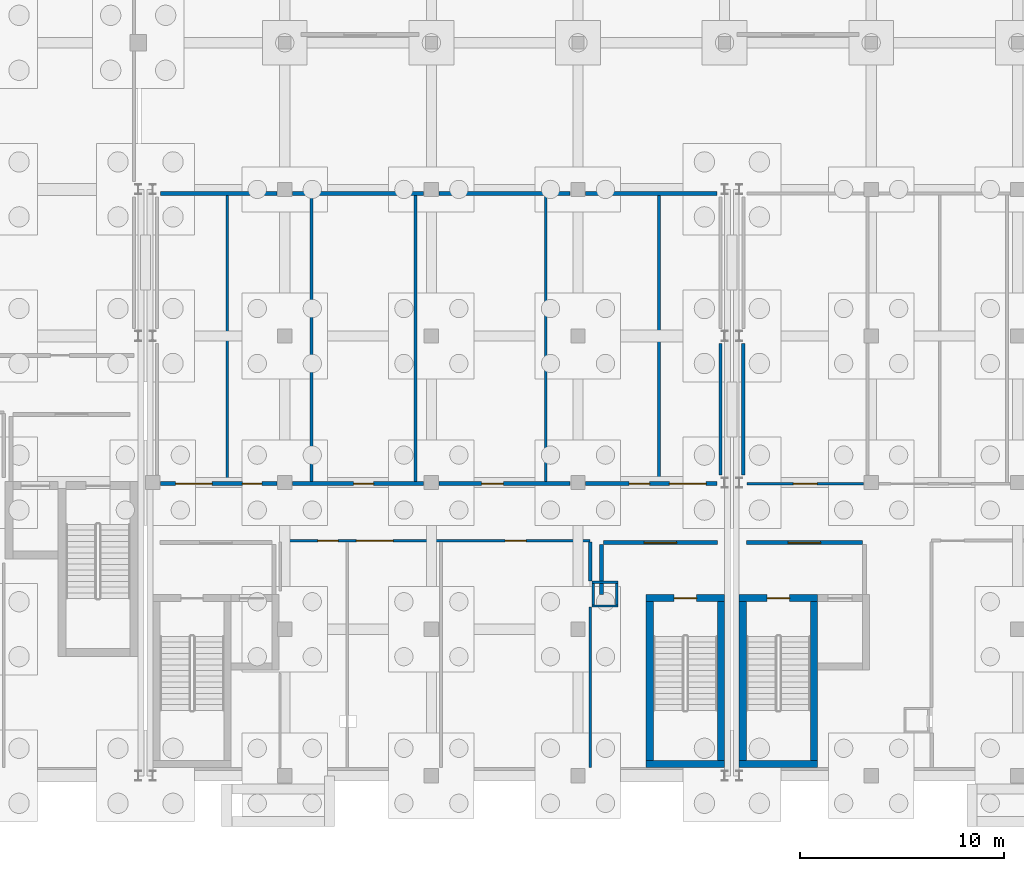
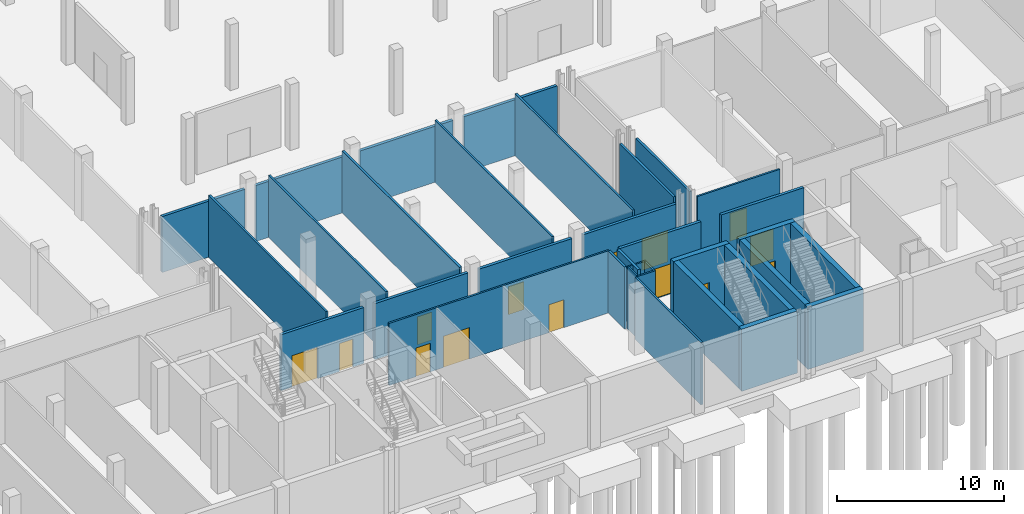
# One storey, part 17 of 35: 34 walls, 14 doors, 14 openings.
"""IFC4 building model written with IfcOpenShell, lengths in metres."""

from ifc_helpers import new_model, si_unit, direction, frame, frame_2d, origin, place, context, subcontext, project, spatial, rectangle, extrude, material, layer, layer_set, type_object, element, fill, save


model = new_model("IFC4")

# Units and contexts
model_context = context("Model", 3, precision=1e-05, world=origin(), true_north=direction((0.0, 1.0)))
body_context = subcontext(model_context, "Body", "Model", "MODEL_VIEW")
ifc_project = project(units=[si_unit("LENGTHUNIT", "METRE"), si_unit("AREAUNIT", "SQUARE_METRE"), si_unit("VOLUMEUNIT", "CUBIC_METRE"), si_unit("PLANEANGLEUNIT", "RADIAN"), si_unit("MASSUNIT", "GRAM", prefix="KILO")], contexts=[model_context])

# Site, building, storey
site_placement = place(None, origin())
site = spatial("IfcSite", under=ifc_project, at=site_placement, CompositionType="ELEMENT")
building_placement = place(site_placement, origin())
building = spatial("IfcBuilding", under=site, at=building_placement, Name="Zarrinpeak Specialist Clinic", CompositionType="ELEMENT")
storey_placement = place(building_placement, frame((0.0, 0.0, -4.800048828125)))
storey = spatial("IfcBuildingStorey", under=building, at=storey_placement, Name="B01", CompositionType="ELEMENT", Elevation=-4.800048828125)

# Wall
ifc_material_1 = material(Name="Concrete C40/50", Category="concrete")
ifc_layer_1 = layer(ifc_material_1, 0.35009765625)
ifc_layer_set_1 = layer_set([ifc_layer_1], Name="Concrete C40/50")
wall_type_1 = type_object("IfcWallType", Name="WL-CR350", PredefinedType="SHEAR", material=ifc_layer_set_1)
wall_1_placement = place(storey_placement, frame((53.75, 0.574951171875, 0.0), z_axis=(0.0, 0.0, 1.0), x_axis=(1.0, 0.0, 0.0)))
element("IfcWall", 1, at=wall_1_placement, inside=storey, type_object=wall_type_1, Name="B01 Core C04 Shear Wall STS", PredefinedType="SHEAR", context=body_context, shape_type="SweptSolid", body=[
    extrude(rectangle(XDim=3.85009765625, YDim=0.35009765625, at=frame_2d((1.925048828125, 0.0))), origin(), (0.0, 0.0, 1.0), 4.545166015625),
])

# Wall, opening, door
wall_2_placement = place(storey_placement, frame((53.75, 8.72509765625, 0.0), z_axis=(0.0, 0.0, 1.0), x_axis=(1.0, 0.0, 0.0)))
wall_2 = element("IfcWall", 2, at=wall_2_placement, inside=storey, type_object=wall_type_1, Name="B01 Core C04 Shear Wall STN", PredefinedType="SHEAR", context=body_context, shape_type="SweptSolid", body=[
    extrude(rectangle(XDim=3.85009765625, YDim=0.35009765625, at=frame_2d((1.925048828125, 0.0))), origin(), (0.0, 0.0, 1.0), 4.545166015625),
])
opening_1_placement = place(wall_2_placement, frame((1.375, 0.0, 0.0)))
opening_1 = element("IfcOpeningElement", 3, at=opening_1_placement, cuts=wall_2, Name="Opening D-S02", PredefinedType="OPENING", context=body_context, shape_type="SweptSolid", body=[
    extrude(rectangle(XDim=1.10009765625, YDim=2.14990234375, at=frame_2d((0.550048828125, 1.074951171875))), frame((0.0, 0.18505859375, 0.0), z_axis=(0.0, -1.0, 0.0), x_axis=(1.0, 0.0, 0.0)), (0.0, 0.0, 1.0), 0.3701171875),
])
ifc_material_2 = material(Name="Powder-Coated Galvanised Steel", Category="steel")
door_type_1 = type_object("IfcDoorType", Name="DR-FD110", OperationType="SINGLE_SWING_RIGHT", PredefinedType="DOOR", material=ifc_material_2)
door_1_placement = place(opening_1_placement, frame((1.10009765625, 0.0, 0.0), z_axis=(0.0, 0.0, 1.0), x_axis=(-1.0, 0.0, 0.0)))
door_1 = element("IfcDoor", 4, at=door_1_placement, inside=storey, type_object=door_type_1, Name="B01 Protected Stair ST-04 Fire Door", OperationType="SINGLE_SWING_RIGHT", OverallHeight=2.14990234375, OverallWidth=1.10009765625, PredefinedType="DOOR", context=body_context, shape_type="SweptSolid", body=[
    extrude(rectangle(XDim=1.10009765625, YDim=2.14990234375, at=frame_2d((0.550048828125, 1.074951171875))), frame((0.0, 0.02490234375, 0.0), z_axis=(0.0, -1.0, 0.0), x_axis=(1.0, 0.0, 0.0)), (0.0, 0.0, 1.0), 0.050048828125),
])
fill(opening_1, door_1)

# Walls
for number, where, z_axis, x_axis, name in (
    (5, (53.925048828125, 0.75, 0.0), (0.0, 0.0, 1.0), (0.0, 1.0, 0.0), "B01 Core C04 Shear Wall STW"),
    (6, (57.425048828125, 0.75, 0.0), (0.0, 0.0, 1.0), (0.0, 1.0, 0.0), "B01 Core C04 Shear Wall STE"),
):
    element("IfcWall", number, at=place(storey_placement, frame(where, z_axis=z_axis, x_axis=x_axis)), inside=storey, type_object=wall_type_1, Name=name, PredefinedType="SHEAR", context=body_context, shape_type="SweptSolid", body=[
        extrude(rectangle(XDim=7.800048828125, YDim=0.35009765625, at=frame_2d((3.89990234375, 0.0))), origin(), (0.0, 0.0, 1.0), 4.545166015625),
    ])
wall_3_placement = place(storey_placement, frame((58.320068359375, 0.574951171875, 0.0), z_axis=(0.0, 0.0, 1.0), x_axis=(1.0, 0.0, 0.0)))
element("IfcWall", 7, at=wall_3_placement, inside=storey, type_object=wall_type_1, Name="B01 Core C07 Shear Wall STS", PredefinedType="SHEAR", context=body_context, shape_type="SweptSolid", body=[
    extrude(rectangle(XDim=3.849853515625, YDim=0.35009765625, at=frame_2d((1.9248046875, 0.0))), origin(), (0.0, 0.0, 1.0), 4.545166015625),
])

# Wall, opening, door
wall_4_placement = place(storey_placement, frame((58.320068359375, 8.72509765625, 0.0), z_axis=(0.0, 0.0, 1.0), x_axis=(1.0, 0.0, 0.0)))
wall_4 = element("IfcWall", 8, at=wall_4_placement, inside=storey, type_object=wall_type_1, Name="B01 Core C07 Shear Wall STN", PredefinedType="SHEAR", context=body_context, shape_type="SweptSolid", body=[
    extrude(rectangle(XDim=3.849853515625, YDim=0.35009765625, at=frame_2d((1.9248046875, 0.0))), origin(), (0.0, 0.0, 1.0), 4.545166015625),
])
opening_2_placement = place(wall_4_placement, frame((1.375, 0.0, 0.0)))
opening_2 = element("IfcOpeningElement", 9, at=opening_2_placement, cuts=wall_4, Name="Opening D-S02", PredefinedType="OPENING", context=body_context, shape_type="SweptSolid", body=[
    extrude(rectangle(XDim=1.10009765625, YDim=2.14990234375, at=frame_2d((0.550048828125, 1.074951171875))), frame((0.0, 0.18505859375, 0.0), z_axis=(0.0, -1.0, 0.0), x_axis=(1.0, 0.0, 0.0)), (0.0, 0.0, 1.0), 0.3701171875),
])
door_2_placement = place(opening_2_placement, frame((1.10009765625, 0.0, 0.0), z_axis=(0.0, 0.0, 1.0), x_axis=(-1.0, 0.0, 0.0)))
door_2 = element("IfcDoor", 10, at=door_2_placement, inside=storey, type_object=door_type_1, Name="B01 Protected Stair ST-07 Fire Door", OperationType="SINGLE_SWING_RIGHT", OverallHeight=2.14990234375, OverallWidth=1.10009765625, PredefinedType="DOOR", context=body_context, shape_type="SweptSolid", body=[
    extrude(rectangle(XDim=1.10009765625, YDim=2.14990234375, at=frame_2d((0.550048828125, 1.074951171875))), frame((0.0, 0.02490234375, 0.0), z_axis=(0.0, -1.0, 0.0), x_axis=(1.0, 0.0, 0.0)), (0.0, 0.0, 1.0), 0.050048828125),
])
fill(opening_2, door_2)

# Walls
for number, where, z_axis, x_axis, name in (
    (11, (58.4951171875, 0.75, 0.0), (0.0, 0.0, 1.0), (0.0, 1.0, 0.0), "B01 Core C07 Shear Wall STW"),
    (12, (61.9951171875, 0.75, 0.0), (0.0, 0.0, 1.0), (0.0, 1.0, 0.0), "B01 Core C07 Shear Wall STE"),
):
    element("IfcWall", number, at=place(storey_placement, frame(where, z_axis=z_axis, x_axis=x_axis)), inside=storey, type_object=wall_type_1, Name=name, PredefinedType="SHEAR", context=body_context, shape_type="SweptSolid", body=[
        extrude(rectangle(XDim=7.800048828125, YDim=0.35009765625, at=frame_2d((3.89990234375, 0.0))), origin(), (0.0, 0.0, 1.0), 4.545166015625),
    ])
ifc_material_3 = material(Name="Sanitary Service Chase Plumbing Wall", Category="gypsum")
ifc_layer_2 = layer(ifc_material_3, 0.110107421875)
ifc_layer_set_2 = layer_set([ifc_layer_2], Name="Sanitary Service Chase Plumbing Wall")
wall_type_2 = type_object("IfcWallType", Name="WL-IW110", PredefinedType="PARTITIONING", material=ifc_layer_set_2)
for number, where, z_axis, x_axis, name in (
    (13, (51.090087890625, 8.344970703125, 0.0), (0.0, 0.0, 1.0), (1.0, 0.0, 0.0), "B01 V2 Enclosed MEP Service Riser Wall S"),
    (14, (51.090087890625, 9.5048828125, 0.0), (0.0, 0.0, 1.0), (1.0, 0.0, 0.0), "B01 V2 Enclosed MEP Service Riser Wall N"),
):
    element("IfcWall", number, at=place(storey_placement, frame(where, z_axis=z_axis, x_axis=x_axis)), inside=storey, type_object=wall_type_2, Name=name, PredefinedType="PARTITIONING", context=body_context, shape_type="SweptSolid", body=[
        extrude(rectangle(XDim=1.27001953125, YDim=0.110107421875, at=frame_2d((0.635009765625, 0.0))), origin(), (0.0, 0.0, 1.0), 4.5400390625),
    ])
for number, where, z_axis, x_axis, name in (
    (15, (51.14501953125, 8.39990234375, 0.0), (0.0, 0.0, 1.0), (0.0, 1.0, 0.0), "B01 V2 Enclosed MEP Service Riser Wall W"),
    (16, (52.304931640625, 8.39990234375, 0.0), (0.0, 0.0, 1.0), (0.0, 1.0, 0.0), "B01 V2 Enclosed MEP Service Riser Wall E"),
):
    element("IfcWall", number, at=place(storey_placement, frame(where, z_axis=z_axis, x_axis=x_axis)), inside=storey, type_object=wall_type_2, Name=name, PredefinedType="PARTITIONING", context=body_context, shape_type="SweptSolid", body=[
        extrude(rectangle(XDim=1.050048828125, YDim=0.110107421875, at=frame_2d((0.52490234375, 0.0))), origin(), (0.0, 0.0, 1.0), 4.5400390625),
    ])

# Wall, openings, doors
ifc_material_4 = material(Name="Moisture-Resistant Wet-Room Partition", Category="gypsum")
ifc_layer_3 = layer(ifc_material_4, 0.125)
ifc_layer_set_3 = layer_set([ifc_layer_3], Name="Moisture-Resistant Wet-Room Partition")
wall_type_3 = type_object("IfcWallType", Name="WL-IW125W", PredefinedType="PARTITIONING", material=ifc_layer_set_3)
wall_5_placement = place(storey_placement, frame((35.77001953125, 11.550048828125, 0.0), z_axis=(0.0, 0.0, 1.0), x_axis=(1.0, 0.0, 0.0)))
wall_5 = element("IfcWall", 17, at=wall_5_placement, inside=storey, type_object=wall_type_3, Name="B01 Accessible Staff WC Partition", PredefinedType="PARTITIONING", context=body_context, shape_type="SweptSolid", body=[
    extrude(rectangle(XDim=15.22998046875, YDim=0.125, at=frame_2d((7.614990234375, 0.0))), origin(), (0.0, 0.0, 1.0), 4.545166015625),
])
opening_3_placement = place(wall_5_placement, frame((1.85009765625, 0.0, 0.0)))
opening_3 = element("IfcOpeningElement", 18, at=opening_3_placement, cuts=wall_5, Name="Opening D-W02", PredefinedType="OPENING", context=body_context, shape_type="SweptSolid", body=[
    extrude(rectangle(XDim=1.0, YDim=2.10009765625, at=frame_2d((0.5, 1.050048828125))), frame((0.0, 0.072509765625, 0.0), z_axis=(0.0, -1.0, 0.0), x_axis=(1.0, 0.0, 0.0)), (0.0, 0.0, 1.0), 0.14501953125),
])
opening_4_placement = place(wall_5_placement, frame((3.75, 0.0, 0.0)))
opening_4 = element("IfcOpeningElement", 19, at=opening_4_placement, cuts=wall_5, Name="Opening D-P01", PredefinedType="OPENING", context=body_context, shape_type="SweptSolid", body=[
    extrude(rectangle(XDim=1.800048828125, YDim=2.300048828125, at=frame_2d((0.89990234375, 1.14990234375))), frame((0.0, 0.072509765625, 0.0), z_axis=(0.0, -1.0, 0.0), x_axis=(1.0, 0.0, 0.0)), (0.0, 0.0, 1.0), 0.14501953125),
])
opening_5_placement = place(wall_5_placement, frame((11.047119140625, 0.0, 0.0)))
opening_5 = element("IfcOpeningElement", 20, at=opening_5_placement, cuts=wall_5, Name="Opening DS-07", PredefinedType="OPENING", context=body_context, shape_type="SweptSolid", body=[
    extrude(rectangle(XDim=1.035888671875, YDim=2.0400390625, at=frame_2d((0.51806640625, 1.02001953125))), frame((0.0, 0.072509765625, 0.0), z_axis=(0.0, -1.0, 0.0), x_axis=(1.0, 0.0, 0.0)), (0.0, 0.0, 1.0), 0.14501953125),
])
door_type_2 = type_object("IfcDoorType", Name="DR-AWC100", OperationType="SLIDING_TO_LEFT", PredefinedType="DOOR", material=ifc_material_2)
door_3_placement = place(opening_3_placement, origin())
door_3 = element("IfcDoor", 21, at=door_3_placement, inside=storey, type_object=door_type_2, Name="B01 Accessible Staff WC Door", OperationType="SLIDING_TO_LEFT", OverallHeight=2.10009765625, OverallWidth=1.0, PredefinedType="DOOR", context=body_context, shape_type="SweptSolid", body=[
    extrude(rectangle(XDim=1.0, YDim=2.10009765625, at=frame_2d((0.5, 1.050048828125))), frame((0.0, 0.02490234375, 0.0), z_axis=(0.0, -1.0, 0.0), x_axis=(1.0, 0.0, 0.0)), (0.0, 0.0, 1.0), 0.050048828125),
])
fill(opening_3, door_3)
door_type_3 = type_object("IfcDoorType", Name="DR-PLT180", OperationType="DOUBLE_DOOR_SINGLE_SWING", PredefinedType="DOOR", material=ifc_material_2)
door_4_placement = place(opening_4_placement, origin())
door_4 = element("IfcDoor", 22, at=door_4_placement, inside=storey, type_object=door_type_3, Name="B01 Pharmacy Receiving Store Door", OperationType="DOUBLE_DOOR_SINGLE_SWING", OverallHeight=2.300048828125, OverallWidth=1.800048828125, PredefinedType="DOOR", context=body_context, shape_type="SweptSolid", body=[
    extrude(rectangle(XDim=1.800048828125, YDim=2.300048828125, at=frame_2d((0.89990234375, 1.14990234375))), frame((0.0, 0.02490234375, 0.0), z_axis=(0.0, -1.0, 0.0), x_axis=(1.0, 0.0, 0.0)), (0.0, 0.0, 1.0), 0.050048828125),
])
fill(opening_4, door_4)
door_type_4 = type_object("IfcDoorType", Name="DR-SP07", OperationType="SINGLE_SWING_RIGHT", PredefinedType="DOOR", material=ifc_material_2)
door_5_placement = place(opening_5_placement, origin())
door_5 = element("IfcDoor", 23, at=door_5_placement, inside=storey, type_object=door_type_4, Name="B01 Specialist Consultation Room 4 Door", OperationType="SINGLE_SWING_RIGHT", OverallHeight=2.0400390625, OverallWidth=1.035888671875, PredefinedType="DOOR", context=body_context, shape_type="SweptSolid", body=[
    extrude(rectangle(XDim=1.035888671875, YDim=2.0400390625, at=frame_2d((0.51806640625, 1.02001953125))), frame((0.0, 0.02490234375, 0.0), z_axis=(0.0, -1.0, 0.0), x_axis=(1.0, 0.0, 0.0)), (0.0, 0.0, 1.0), 0.050048828125),
])
fill(opening_5, door_5)

# Wall, opening, door
wall_6_placement = place(storey_placement, frame((58.699951171875, 14.35009765625, 0.0), z_axis=(0.0, 0.0, 1.0), x_axis=(1.0, 0.0, 0.0)))
wall_6 = element("IfcWall", 24, at=wall_6_placement, inside=storey, type_object=wall_type_3, Name="B01 Accessible CSSD Staff WC Partition", PredefinedType="PARTITIONING", context=body_context, shape_type="SweptSolid", body=[
    extrude(rectangle(XDim=5.719970703125, YDim=0.125, at=frame_2d((2.85986328125, 0.0))), origin(), (0.0, 0.0, 1.0), 4.094970703125),
])
opening_6_placement = place(wall_6_placement, frame((2.277099609375, 0.0, 0.0)))
opening_6 = element("IfcOpeningElement", 25, at=opening_6_placement, cuts=wall_6, Name="Opening DS-12", PredefinedType="OPENING", context=body_context, shape_type="SweptSolid", body=[
    extrude(rectangle(XDim=1.166015625, YDim=2.0400390625, at=frame_2d((0.5830078125, 1.02001953125))), frame((0.0, 0.072509765625, 0.0), z_axis=(0.0, -1.0, 0.0), x_axis=(1.0, 0.0, 0.0)), (0.0, 0.0, 1.0), 0.14501953125),
])
door_type_5 = type_object("IfcDoorType", Name="DR-SP12", OperationType="SINGLE_SWING_LEFT", PredefinedType="DOOR", material=ifc_material_2)
door_6_placement = place(opening_6_placement, frame((1.166015625, 0.0, 0.0), z_axis=(0.0, 0.0, 1.0), x_axis=(-1.0, 0.0, 0.0)))
door_6 = element("IfcDoor", 26, at=door_6_placement, inside=storey, type_object=door_type_5, Name="B01 Specialist Consultation Room 3 Door", OperationType="SINGLE_SWING_LEFT", OverallHeight=2.0400390625, OverallWidth=1.166015625, PredefinedType="DOOR", context=body_context, shape_type="SweptSolid", body=[
    extrude(rectangle(XDim=1.166015625, YDim=2.0400390625, at=frame_2d((0.5830078125, 1.02001953125))), frame((0.0, 0.02490234375, 0.0), z_axis=(0.0, -1.0, 0.0), x_axis=(1.0, 0.0, 0.0)), (0.0, 0.0, 1.0), 0.050048828125),
])
fill(opening_6, door_6)

# Walls
ifc_material_5 = material(Name="Standard Drywall Partition", Category="gypsum")
ifc_layer_4 = layer(ifc_material_5, 0.135009765625)
ifc_layer_set_4 = layer_set([ifc_layer_4], Name="Standard Drywall Partition")
wall_type_4 = type_object("IfcWallType", Name="WL-IW135", PredefinedType="PARTITIONING", material=ifc_layer_set_4)
for number, where, z_axis, x_axis, name in (
    (27, (33.169921875, 14.449951171875, 0.0), (0.0, 0.0, 1.0), (0.0, 1.0, 0.0), "B01 Pneumatic Tube Dispatch Plant Dividing Partition"),
    (28, (48.820068359375, 14.449951171875, 0.0), (0.0, 0.0, 1.0), (0.0, 1.0, 0.0), "B01 Specialist Consultation Room 3 Dividing Partition"),
):
    element("IfcWall", number, at=place(storey_placement, frame(where, z_axis=z_axis, x_axis=x_axis)), inside=storey, type_object=wall_type_4, Name=name, PredefinedType="PARTITIONING", context=body_context, shape_type="SweptSolid", body=[
        extrude(rectangle(XDim=14.050048828125, YDim=0.135009765625, at=frame_2d((7.02490234375, 0.0))), origin(), (0.0, 0.0, 1.0), 4.545166015625),
    ])
wall_7_placement = place(storey_placement, frame((51.0, 0.39990234375, 0.0), z_axis=(0.0, 0.0, 1.0), x_axis=(0.0, 1.0, 0.0)))
element("IfcWall", 29, at=wall_7_placement, inside=storey, type_object=wall_type_4, Name="B01 Specialist Consultation Room 4 Dividing Partition", PredefinedType="PARTITIONING", context=body_context, shape_type="SweptSolid", body=[
    extrude(rectangle(XDim=7.89013671875, YDim=0.135009765625, at=frame_2d((3.945068359375, 0.0))), origin(), (0.0, 0.0, 1.0), 4.545166015625),
])
ifc_material_6 = material(Name="Acoustic Consultation Stud Partition", Category="gypsum")
ifc_layer_5 = layer(ifc_material_6, 0.14208984375)
ifc_layer_set_5 = layer_set([ifc_layer_5], Name="Acoustic Consultation Stud Partition")
wall_type_5 = type_object("IfcWallType", Name="WL-IW142", PredefinedType="PARTITIONING", material=ifc_layer_set_5)
for number, where, z_axis, x_axis, name in (
    (30, (37.320068359375, 14.449951171875, 0.0), (0.0, 0.0, 1.0), (0.0, 1.0, 0.0), "B01 Specialist Consultation Room 1 Dividing Partition"),
    (31, (54.3701171875, 14.449951171875, 0.0), (0.0, 0.0, 1.0), (0.0, 1.0, 0.0), "B01 Cold-Chain Pharmacy Vault Dividing Partition"),
):
    element("IfcWall", number, at=place(storey_placement, frame(where, z_axis=z_axis, x_axis=x_axis)), inside=storey, type_object=wall_type_5, Name=name, PredefinedType="PARTITIONING", context=body_context, shape_type="SweptSolid", body=[
        extrude(rectangle(XDim=14.050048828125, YDim=0.14208984375, at=frame_2d((7.02490234375, 0.0))), origin(), (0.0, 0.0, 1.0), 4.545166015625),
    ])
ifc_material_7 = material(Name="Acoustic Double Gypsum Stud Partition", Category="gypsum")
ifc_layer_6 = layer(ifc_material_7, 0.159912109375)
ifc_layer_set_6 = layer_set([ifc_layer_6], Name="Acoustic Double Gypsum Stud Partition")
wall_type_6 = type_object("IfcWallType", Name="WL-IW160", PredefinedType="PARTITIONING", material=ifc_layer_set_6)
wall_8_placement = place(storey_placement, frame((42.419921875, 14.449951171875, 0.0), z_axis=(0.0, 0.0, 1.0), x_axis=(0.0, 1.0, 0.0)))
element("IfcWall", 32, at=wall_8_placement, inside=storey, type_object=wall_type_6, Name="B01 Specialist Consultation Room 2 Dividing Partition", PredefinedType="PARTITIONING", context=body_context, shape_type="SweptSolid", body=[
    extrude(rectangle(XDim=14.050048828125, YDim=0.159912109375, at=frame_2d((7.02490234375, 0.0))), origin(), (0.0, 0.0, 1.0), 4.545166015625),
])
wall_9_placement = place(storey_placement, frame((51.0, 9.56005859375, 0.0), z_axis=(0.0, 0.0, 1.0), x_axis=(0.0, 1.0, 0.0)))
element("IfcWall", 33, at=wall_9_placement, inside=storey, type_object=wall_type_6, Name="B01 Specialist Consultation Room 4 Dividing Partition", PredefinedType="PARTITIONING", context=body_context, shape_type="SweptSolid", body=[
    extrude(rectangle(XDim=1.927490234375, YDim=0.159912109375, at=frame_2d((0.9638671875, 0.0))), origin(), (0.0, 0.0, 1.0), 4.545166015625),
])
for number, where, z_axis, x_axis, name in (
    (34, (57.39990234375, 14.780029296875, 0.0), (0.0, 0.0, 1.0), (0.0, 1.0, 0.0), "B01 Cold-Chain Pharmacy Vault Dividing Partition"),
    (35, (58.52001953125, 14.780029296875, 0.0), (0.0, 0.0, 1.0), (0.0, 1.0, 0.0), "B01 Specialist Consultation Room 3 Dividing Partition"),
):
    element("IfcWall", number, at=place(storey_placement, frame(where, z_axis=z_axis, x_axis=x_axis)), inside=storey, type_object=wall_type_6, Name=name, PredefinedType="PARTITIONING", context=body_context, shape_type="SweptSolid", body=[
        extrude(rectangle(XDim=6.43994140625, YDim=0.159912109375, at=frame_2d((3.219970703125, 0.0))), origin(), (0.0, 0.0, 1.0), 4.2451171875),
    ])

# Wall, opening, door
ifc_material_8 = material(Name="Autoclaved Aerated Concrete Blockwork", Category="masonry")
ifc_layer_7 = layer(ifc_material_8, 0.199951171875)
ifc_layer_set_7 = layer_set([ifc_layer_7], Name="Autoclaved Aerated Concrete Blockwork")
wall_type_7 = type_object("IfcWallType", Name="WL-IW200", PredefinedType="PARTITIONING", material=ifc_layer_set_7)
wall_10_placement = place(storey_placement, frame((51.64990234375, 11.449951171875, 0.0), z_axis=(0.0, 0.0, 1.0), x_axis=(1.0, 0.0, 0.0)))
wall_10 = element("IfcWall", 36, at=wall_10_placement, inside=storey, type_object=wall_type_7, Name="B01 C04 Protected Lobby Partition LBF", PredefinedType="PARTITIONING", context=body_context, shape_type="SweptSolid", body=[
    extrude(rectangle(XDim=5.60009765625, YDim=0.199951171875, at=frame_2d((2.800048828125, 0.0))), origin(), (0.0, 0.0, 1.0), 4.545166015625),
])
opening_7_placement = place(wall_10_placement, frame((2.0, 0.0, 0.0)))
opening_7 = element("IfcOpeningElement", 37, at=opening_7_placement, cuts=wall_10, Name="Opening D-L01", PredefinedType="OPENING", context=body_context, shape_type="SweptSolid", body=[
    extrude(rectangle(XDim=1.60009765625, YDim=2.199951171875, at=frame_2d((0.800048828125, 1.10009765625))), frame((0.0, 0.10986328125, 0.0), z_axis=(0.0, -1.0, 0.0), x_axis=(1.0, 0.0, 0.0)), (0.0, 0.0, 1.0), 0.219970703125),
])
door_type_6 = type_object("IfcDoorType", Name="DR-LB160", OperationType="DOUBLE_DOOR_SINGLE_SWING", PredefinedType="DOOR", material=ifc_material_2)
door_7_placement = place(opening_7_placement, origin())
door_7 = element("IfcDoor", 38, at=door_7_placement, inside=storey, type_object=door_type_6, Name="B01 C04 Lobby Hold-Open Fire Door", OperationType="DOUBLE_DOOR_SINGLE_SWING", OverallHeight=2.199951171875, OverallWidth=1.60009765625, PredefinedType="DOOR", context=body_context, shape_type="SweptSolid", body=[
    extrude(rectangle(XDim=1.60009765625, YDim=2.199951171875, at=frame_2d((0.800048828125, 1.10009765625))), frame((0.0, 0.02490234375, 0.0), z_axis=(0.0, -1.0, 0.0), x_axis=(1.0, 0.0, 0.0)), (0.0, 0.0, 1.0), 0.050048828125),
])
fill(opening_7, door_7)

# Wall
wall_11_placement = place(storey_placement, frame((51.550048828125, 8.89990234375, 0.0), z_axis=(0.0, 0.0, 1.0), x_axis=(0.0, 1.0, 0.0)))
element("IfcWall", 39, at=wall_11_placement, inside=storey, type_object=wall_type_7, Name="B01 C04 Protected Lobby Partition LBW", PredefinedType="PARTITIONING", context=body_context, shape_type="SweptSolid", body=[
    extrude(rectangle(XDim=2.4501953125, YDim=0.199951171875, at=frame_2d((1.22509765625, 0.0))), origin(), (0.0, 0.0, 1.0), 4.545166015625),
])

# Wall, opening, door
wall_12_placement = place(storey_placement, frame((58.669921875, 11.449951171875, 0.0), z_axis=(0.0, 0.0, 1.0), x_axis=(1.0, 0.0, 0.0)))
wall_12 = element("IfcWall", 40, at=wall_12_placement, inside=storey, type_object=wall_type_7, Name="B01 C07 Protected Lobby Partition LBF", PredefinedType="PARTITIONING", context=body_context, shape_type="SweptSolid", body=[
    extrude(rectangle(XDim=5.7001953125, YDim=0.199951171875, at=frame_2d((2.85009765625, 0.0))), origin(), (0.0, 0.0, 1.0), 4.545166015625),
])
opening_8_placement = place(wall_12_placement, frame((2.050048828125, 0.0, 0.0)))
opening_8 = element("IfcOpeningElement", 41, at=opening_8_placement, cuts=wall_12, Name="Opening D-L01", PredefinedType="OPENING", context=body_context, shape_type="SweptSolid", body=[
    extrude(rectangle(XDim=1.60009765625, YDim=2.199951171875, at=frame_2d((0.800048828125, 1.10009765625))), frame((0.0, 0.10986328125, 0.0), z_axis=(0.0, -1.0, 0.0), x_axis=(1.0, 0.0, 0.0)), (0.0, 0.0, 1.0), 0.219970703125),
])
door_8_placement = place(opening_8_placement, origin())
door_8 = element("IfcDoor", 42, at=door_8_placement, inside=storey, type_object=door_type_6, Name="B01 C07 Lobby Hold-Open Fire Door", OperationType="DOUBLE_DOOR_SINGLE_SWING", OverallHeight=2.199951171875, OverallWidth=1.60009765625, PredefinedType="DOOR", context=body_context, shape_type="SweptSolid", body=[
    extrude(rectangle(XDim=1.60009765625, YDim=2.199951171875, at=frame_2d((0.800048828125, 1.10009765625))), frame((0.0, 0.02490234375, 0.0), z_axis=(0.0, -1.0, 0.0), x_axis=(1.0, 0.0, 0.0)), (0.0, 0.0, 1.0), 0.050048828125),
])
fill(opening_8, door_8)

# Wall, openings, doors
wall_13_placement = place(storey_placement, frame((29.89990234375, 14.35009765625, 0.0), z_axis=(0.0, 0.0, 1.0), x_axis=(1.0, 0.0, 0.0)))
wall_13 = element("IfcWall", 43, at=wall_13_placement, inside=storey, type_object=wall_type_7, Name="B01 Cold-Chain Pharmacy Vault Partition", PredefinedType="PARTITIONING", context=body_context, shape_type="SweptSolid", body=[
    extrude(rectangle(XDim=5.72021484375, YDim=0.199951171875, at=frame_2d((2.860107421875, 0.0))), origin(), (0.0, 0.0, 1.0), 4.094970703125),
])
opening_9_placement = place(wall_13_placement, frame((0.735107421875, 0.0, 0.0)))
opening_9 = element("IfcOpeningElement", 44, at=opening_9_placement, cuts=wall_13, Name="Opening D-P01", PredefinedType="OPENING", context=body_context, shape_type="SweptSolid", body=[
    extrude(rectangle(XDim=1.800048828125, YDim=2.300048828125, at=frame_2d((0.89990234375, 1.14990234375))), frame((0.0, 0.10986328125, 0.0), z_axis=(0.0, -1.0, 0.0), x_axis=(1.0, 0.0, 0.0)), (0.0, 0.0, 1.0), 0.219970703125),
])
opening_10_placement = place(wall_13_placement, frame((4.01611328125, 0.0, 0.0)))
opening_10 = element("IfcOpeningElement", 45, at=opening_10_placement, cuts=wall_13, Name="Opening DS-04", PredefinedType="OPENING", context=body_context, shape_type="SweptSolid", body=[
    extrude(rectangle(XDim=0.9580078125, YDim=2.0400390625, at=frame_2d((0.47900390625, 1.02001953125))), frame((0.0, 0.10986328125, 0.0), z_axis=(0.0, -1.0, 0.0), x_axis=(1.0, 0.0, 0.0)), (0.0, 0.0, 1.0), 0.219970703125),
])
door_9_placement = place(opening_9_placement, frame((1.800048828125, 0.0, 0.0), z_axis=(0.0, 0.0, 1.0), x_axis=(-1.0, 0.0, 0.0)))
door_9 = element("IfcDoor", 46, at=door_9_placement, inside=storey, type_object=door_type_3, Name="B01 Pneumatic Tube Dispatch Plant Door", OperationType="DOUBLE_DOOR_SINGLE_SWING", OverallHeight=2.300048828125, OverallWidth=1.800048828125, PredefinedType="DOOR", context=body_context, shape_type="SweptSolid", body=[
    extrude(rectangle(XDim=1.800048828125, YDim=2.300048828125, at=frame_2d((0.89990234375, 1.14990234375))), frame((0.0, 0.02490234375, 0.0), z_axis=(0.0, -1.0, 0.0), x_axis=(1.0, 0.0, 0.0)), (0.0, 0.0, 1.0), 0.050048828125),
])
fill(opening_9, door_9)
door_type_7 = type_object("IfcDoorType", Name="DR-SP04", OperationType="SINGLE_SWING_LEFT", PredefinedType="DOOR", material=ifc_material_2)
door_10_placement = place(opening_10_placement, frame((0.9580078125, 0.0, 0.0), z_axis=(0.0, 0.0, 1.0), x_axis=(-1.0, 0.0, 0.0)))
door_10 = element("IfcDoor", 47, at=door_10_placement, inside=storey, type_object=door_type_7, Name="B01 Specialist Consultation Room 1 Door", OperationType="SINGLE_SWING_LEFT", OverallHeight=2.0400390625, OverallWidth=0.9580078125, PredefinedType="DOOR", context=body_context, shape_type="SweptSolid", body=[
    extrude(rectangle(XDim=0.9580078125, YDim=2.0400390625, at=frame_2d((0.47900390625, 1.02001953125))), frame((0.0, 0.02490234375, 0.0), z_axis=(0.0, -1.0, 0.0), x_axis=(1.0, 0.0, 0.0)), (0.0, 0.0, 1.0), 0.050048828125),
])
fill(opening_10, door_10)

# Wall, opening, door
wall_14_placement = place(storey_placement, frame((36.3798828125, 14.35009765625, 0.0), z_axis=(0.0, 0.0, 1.0), x_axis=(1.0, 0.0, 0.0)))
wall_14 = element("IfcWall", 48, at=wall_14_placement, inside=storey, type_object=wall_type_7, Name="B01 Cold-Chain Pharmacy Vault Partition", PredefinedType="PARTITIONING", context=body_context, shape_type="SweptSolid", body=[
    extrude(rectangle(XDim=6.440185546875, YDim=0.199951171875, at=frame_2d((3.22021484375, 0.0))), origin(), (0.0, 0.0, 1.0), 4.094970703125),
])
opening_11_placement = place(wall_14_placement, frame((2.998046875, 0.0, 0.0)))
opening_11 = element("IfcOpeningElement", 49, at=opening_11_placement, cuts=wall_14, Name="Opening DS-05", PredefinedType="OPENING", context=body_context, shape_type="SweptSolid", body=[
    extrude(rectangle(XDim=0.98388671875, YDim=2.0400390625, at=frame_2d((0.491943359375, 1.02001953125))), frame((0.0, 0.10986328125, 0.0), z_axis=(0.0, -1.0, 0.0), x_axis=(1.0, 0.0, 0.0)), (0.0, 0.0, 1.0), 0.219970703125),
])
door_type_8 = type_object("IfcDoorType", Name="DR-SP05", OperationType="SINGLE_SWING_RIGHT", PredefinedType="DOOR", material=ifc_material_2)
door_11_placement = place(opening_11_placement, frame((0.98388671875, 0.0, 0.0), z_axis=(0.0, 0.0, 1.0), x_axis=(-1.0, 0.0, 0.0)))
door_11 = element("IfcDoor", 50, at=door_11_placement, inside=storey, type_object=door_type_8, Name="B01 Specialist Consultation Room 2 Door", OperationType="SINGLE_SWING_RIGHT", OverallHeight=2.0400390625, OverallWidth=0.98388671875, PredefinedType="DOOR", context=body_context, shape_type="SweptSolid", body=[
    extrude(rectangle(XDim=0.98388671875, YDim=2.0400390625, at=frame_2d((0.491943359375, 1.02001953125))), frame((0.0, 0.02490234375, 0.0), z_axis=(0.0, -1.0, 0.0), x_axis=(1.0, 0.0, 0.0)), (0.0, 0.0, 1.0), 0.050048828125),
])
fill(opening_11, door_11)

wall_15_placement = place(storey_placement, frame((43.580078125, 14.35009765625, 0.0), z_axis=(0.0, 0.0, 1.0), x_axis=(1.0, 0.0, 0.0)))
wall_15 = element("IfcWall", 51, at=wall_15_placement, inside=storey, type_object=wall_type_7, Name="B01 Cold-Chain Pharmacy Vault Partition", PredefinedType="PARTITIONING", context=body_context, shape_type="SweptSolid", body=[
    extrude(rectangle(XDim=6.43994140625, YDim=0.199951171875, at=frame_2d((3.219970703125, 0.0))), origin(), (0.0, 0.0, 1.0), 4.094970703125),
])
opening_12_placement = place(wall_15_placement, frame((2.089111328125, 0.0, 0.0)))
opening_12 = element("IfcOpeningElement", 52, at=opening_12_placement, cuts=wall_15, Name="Opening DS-08", PredefinedType="OPENING", context=body_context, shape_type="SweptSolid", body=[
    extrude(rectangle(XDim=1.06201171875, YDim=2.0400390625, at=frame_2d((0.531005859375, 1.02001953125))), frame((0.0, 0.10986328125, 0.0), z_axis=(0.0, -1.0, 0.0), x_axis=(1.0, 0.0, 0.0)), (0.0, 0.0, 1.0), 0.219970703125),
])
door_type_9 = type_object("IfcDoorType", Name="DR-SP08", OperationType="SINGLE_SWING_LEFT", PredefinedType="DOOR", material=ifc_material_2)
door_12_placement = place(opening_12_placement, frame((1.06201171875, 0.0, 0.0), z_axis=(0.0, 0.0, 1.0), x_axis=(-1.0, 0.0, 0.0)))
door_12 = element("IfcDoor", 53, at=door_12_placement, inside=storey, type_object=door_type_9, Name="B01 Specialist Consultation Room 5 Door", OperationType="SINGLE_SWING_LEFT", OverallHeight=2.0400390625, OverallWidth=1.06201171875, PredefinedType="DOOR", context=body_context, shape_type="SweptSolid", body=[
    extrude(rectangle(XDim=1.06201171875, YDim=2.0400390625, at=frame_2d((0.531005859375, 1.02001953125))), frame((0.0, 0.02490234375, 0.0), z_axis=(0.0, -1.0, 0.0), x_axis=(1.0, 0.0, 0.0)), (0.0, 0.0, 1.0), 0.050048828125),
])
fill(opening_12, door_12)

# Wall, openings, doors
wall_16_placement = place(storey_placement, frame((50.780029296875, 14.35009765625, 0.0), z_axis=(0.0, 0.0, 1.0), x_axis=(1.0, 0.0, 0.0)))
wall_16 = element("IfcWall", 54, at=wall_16_placement, inside=storey, type_object=wall_type_7, Name="B01 Cold-Chain Pharmacy Vault Partition", PredefinedType="PARTITIONING", context=body_context, shape_type="SweptSolid", body=[
    extrude(rectangle(XDim=6.43994140625, YDim=0.199951171875, at=frame_2d((3.219970703125, 0.0))), origin(), (0.0, 0.0, 1.0), 4.094970703125),
])
opening_13_placement = place(wall_16_placement, frame((4.114990234375, 0.0, 0.0)))
opening_13 = element("IfcOpeningElement", 55, at=opening_13_placement, cuts=wall_16, Name="Opening D-P01", PredefinedType="OPENING", context=body_context, shape_type="SweptSolid", body=[
    extrude(rectangle(XDim=1.800048828125, YDim=2.300048828125, at=frame_2d((0.89990234375, 1.14990234375))), frame((0.0, 0.10986328125, 0.0), z_axis=(0.0, -1.0, 0.0), x_axis=(1.0, 0.0, 0.0)), (0.0, 0.0, 1.0), 0.219970703125),
])
opening_14_placement = place(wall_16_placement, frame((2.1298828125, 0.0, 0.0)))
opening_14 = element("IfcOpeningElement", 56, at=opening_14_placement, cuts=wall_16, Name="Opening DS-06", PredefinedType="OPENING", context=body_context, shape_type="SweptSolid", body=[
    extrude(rectangle(XDim=1.010009765625, YDim=2.0400390625, at=frame_2d((0.5048828125, 1.02001953125))), frame((0.0, 0.10986328125, 0.0), z_axis=(0.0, -1.0, 0.0), x_axis=(1.0, 0.0, 0.0)), (0.0, 0.0, 1.0), 0.219970703125),
])
door_13_placement = place(opening_13_placement, frame((1.800048828125, 0.0, 0.0), z_axis=(0.0, 0.0, 1.0), x_axis=(-1.0, 0.0, 0.0)))
door_13 = element("IfcDoor", 57, at=door_13_placement, inside=storey, type_object=door_type_3, Name="B01 Cold-Chain Pharmacy Vault Door", OperationType="DOUBLE_DOOR_SINGLE_SWING", OverallHeight=2.300048828125, OverallWidth=1.800048828125, PredefinedType="DOOR", context=body_context, shape_type="SweptSolid", body=[
    extrude(rectangle(XDim=1.800048828125, YDim=2.300048828125, at=frame_2d((0.89990234375, 1.14990234375))), frame((0.0, 0.02490234375, 0.0), z_axis=(0.0, -1.0, 0.0), x_axis=(1.0, 0.0, 0.0)), (0.0, 0.0, 1.0), 0.050048828125),
])
fill(opening_13, door_13)
door_type_10 = type_object("IfcDoorType", Name="DR-SP06", OperationType="SINGLE_SWING_LEFT", PredefinedType="DOOR", material=ifc_material_2)
door_14_placement = place(opening_14_placement, frame((1.010009765625, 0.0, 0.0), z_axis=(0.0, 0.0, 1.0), x_axis=(-1.0, 0.0, 0.0)))
door_14 = element("IfcDoor", 58, at=door_14_placement, inside=storey, type_object=door_type_10, Name="B01 Specialist Consultation Room 3 Door", OperationType="SINGLE_SWING_LEFT", OverallHeight=2.0400390625, OverallWidth=1.010009765625, PredefinedType="DOOR", context=body_context, shape_type="SweptSolid", body=[
    extrude(rectangle(XDim=1.010009765625, YDim=2.0400390625, at=frame_2d((0.5048828125, 1.02001953125))), frame((0.0, 0.02490234375, 0.0), z_axis=(0.0, -1.0, 0.0), x_axis=(1.0, 0.0, 0.0)), (0.0, 0.0, 1.0), 0.050048828125),
])
fill(opening_14, door_14)

# Walls
wall_17_placement = place(storey_placement, frame((29.89990234375, 28.60009765625, 0.0), z_axis=(0.0, 0.0, 1.0), x_axis=(1.0, 0.0, 0.0)))
element("IfcWall", 59, at=wall_17_placement, inside=storey, type_object=wall_type_7, Name="B01 Cold-Chain Pharmacy Vault Partition", PredefinedType="PARTITIONING", context=body_context, shape_type="SweptSolid", body=[
    extrude(rectangle(XDim=5.72021484375, YDim=0.199951171875, at=frame_2d((2.860107421875, 0.0))), origin(), (0.0, 0.0, 1.0), 4.094970703125),
])
wall_18_placement = place(storey_placement, frame((36.3798828125, 28.60009765625, 0.0), z_axis=(0.0, 0.0, 1.0), x_axis=(1.0, 0.0, 0.0)))
element("IfcWall", 60, at=wall_18_placement, inside=storey, type_object=wall_type_7, Name="B01 Cold-Chain Pharmacy Vault Partition", PredefinedType="PARTITIONING", context=body_context, shape_type="SweptSolid", body=[
    extrude(rectangle(XDim=6.440185546875, YDim=0.199951171875, at=frame_2d((3.22021484375, 0.0))), origin(), (0.0, 0.0, 1.0), 4.094970703125),
])
for number, where, z_axis, x_axis, name in (
    (61, (43.580078125, 28.60009765625, 0.0), (0.0, 0.0, 1.0), (1.0, 0.0, 0.0), "B01 Cold-Chain Pharmacy Vault Partition"),
    (62, (50.780029296875, 28.60009765625, 0.0), (0.0, 0.0, 1.0), (1.0, 0.0, 0.0), "B01 Cold-Chain Pharmacy Vault Partition"),
):
    element("IfcWall", number, at=place(storey_placement, frame(where, z_axis=z_axis, x_axis=x_axis)), inside=storey, type_object=wall_type_7, Name=name, PredefinedType="PARTITIONING", context=body_context, shape_type="SweptSolid", body=[
        extrude(rectangle(XDim=6.43994140625, YDim=0.199951171875, at=frame_2d((3.219970703125, 0.0))), origin(), (0.0, 0.0, 1.0), 4.094970703125),
    ])

save(model, "model.ifc")
